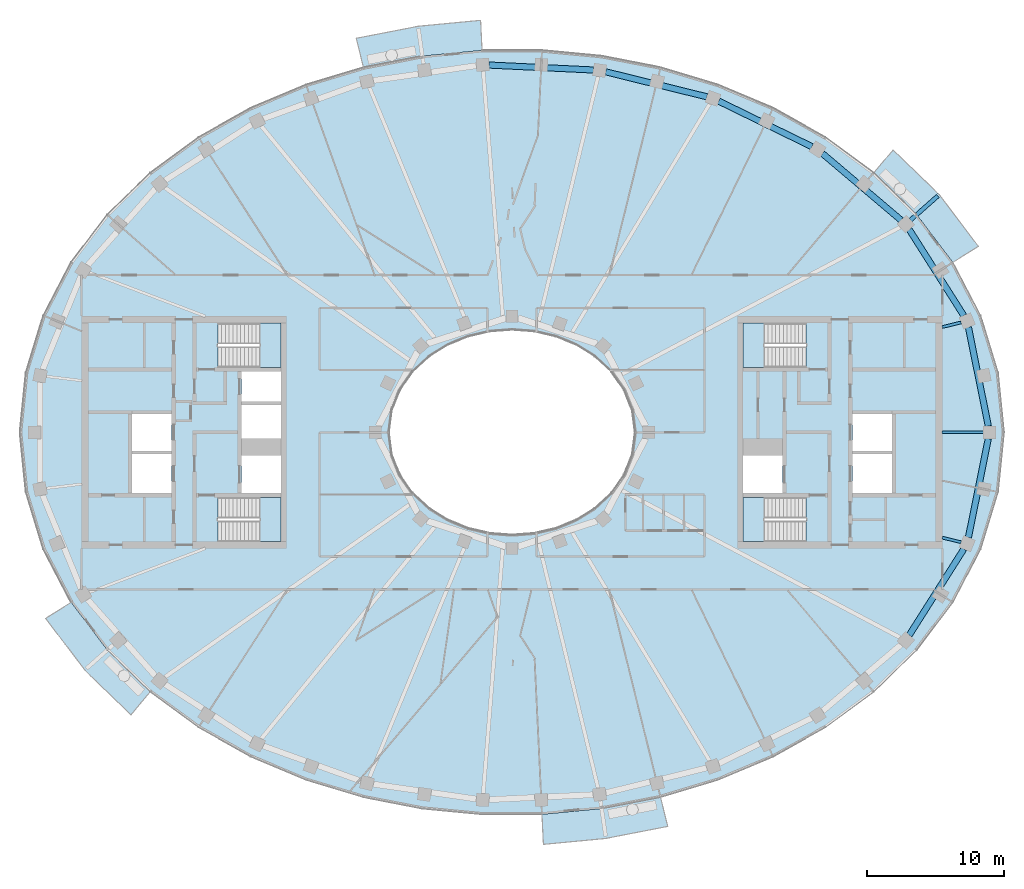
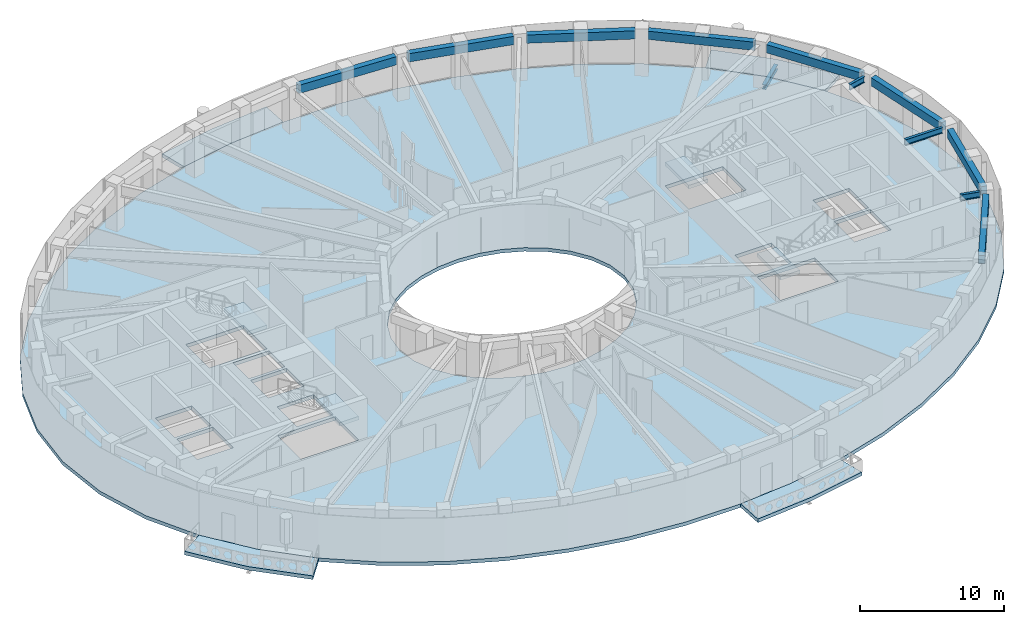
# One storey, part 2 of 16: 12 beams, 9 slabs, 4 elements without a shape of their own.
"""IFC4 building model written with IfcOpenShell, lengths in metres."""

from ifc_helpers import new_model, si_unit, direction, frame, origin, origin_2d, place, context, subcontext, project, spatial, polyline, rectangle, i_section, outline, extrude, material, layer, layer_set, material_profile, profile_set, type_object, element, aggregate, save


model = new_model("IFC4")

# Units and contexts
model_context = context("Model", 3, precision=1e-05, world=origin(), true_north=direction((0.0, 1.0)))
body_context = subcontext(model_context, "Body", "Model", "MODEL_VIEW")
ifc_project = project(units=[si_unit("LENGTHUNIT", "METRE"), si_unit("AREAUNIT", "SQUARE_METRE"), si_unit("VOLUMEUNIT", "CUBIC_METRE"), si_unit("PLANEANGLEUNIT", "RADIAN"), si_unit("MASSUNIT", "GRAM", prefix="KILO")], contexts=[model_context])

# Site, building, storey
site_placement = place(None, origin())
site = spatial("IfcSite", under=ifc_project, at=site_placement, CompositionType="ELEMENT")
building_placement = place(site_placement, origin())
building = spatial("IfcBuilding", under=site, at=building_placement, Name="Noorbagh Ring Tower", CompositionType="ELEMENT")
storey_placement = place(building_placement, frame((0.0, 0.0, 311.0)))
storey = spatial("IfcBuildingStorey", under=building, at=storey_placement, Name="L67", CompositionType="ELEMENT", Elevation=311.0)

# Beams
ifc_material_1 = material(Name="Steel S355", Category="steel")
ifc_material_profile_1 = material_profile(ifc_material_1, i_section(OverallWidth=0.300048828125, OverallDepth=0.39990234375, WebThickness=0.013427734375, FlangeThickness=0.02392578125, FilletRadius=0.027099609375, at=origin_2d()), Name="HEB400")
ifc_profile_set_1 = profile_set([ifc_material_profile_1], Name="Steel S355")
beam_type_1 = type_object("IfcBeamType", Name="STR-BALCONY-BRACKET-HEB400", PredefinedType="BEAM", material=ifc_profile_set_1)
beam_1_placement = place(storey_placement, frame((29.15966796875, 15.531982421875, -0.5), z_axis=(0.749056248736, 0.662506404671, 0.0), x_axis=(-0.662506404671, 0.749056248736, 0.0)))
element("IfcBeam", 1, at=beam_1_placement, inside=storey, type_object=beam_type_1, Name="Balcony bracket beam BN01", PredefinedType="BEAM", context=body_context, shape_type="SweptSolid", body=[
    extrude(i_section(OverallWidth=0.300048828125, OverallDepth=0.39990234375, WebThickness=0.013427734375, FlangeThickness=0.02392578125, FilletRadius=0.027099609375, at=origin_2d()), origin(), (0.0, 0.0, 1.0), 2.654296875),
])
ifc_material_2 = material(Name="Steel S355", Category="steel")
ifc_material_profile_2 = material_profile(ifc_material_2, i_section(OverallWidth=0.199951171875, OverallDepth=0.5, WebThickness=0.01025390625, FlangeThickness=0.01611328125, FilletRadius=0.02099609375, at=origin_2d()), Name="IPE500")
ifc_profile_set_2 = profile_set([ifc_material_profile_2], Name="Steel S355")
beam_type_2 = type_object("IfcBeamType", Name="STR-RAD-IPE500", PredefinedType="BEAM", material=ifc_profile_set_2)
beam_2_placement = place(storey_placement, frame((34.48974609375, 0.0, 3.449951171875), z_axis=(-1.0, 0.0, 0.0), x_axis=(0.0, -1.0, 0.0)))
element("IfcBeam", 2, at=beam_2_placement, inside=storey, type_object=beam_type_2, Name="L67/bm/RD01", PredefinedType="BEAM", context=body_context, shape_type="SweptSolid", body=[
    extrude(i_section(OverallWidth=0.199951171875, OverallDepth=0.5, WebThickness=0.01025390625, FlangeThickness=0.01611328125, FilletRadius=0.02099609375, at=origin_2d()), origin(), (0.0, 0.0, 1.0), 3.009765625),
])
for number, where, z_axis, x_axis, name in (
    (3, (32.858154296875, 8.0400390625, 3.449951171875), (-0.971335445274, -0.237712962949, 0.0), (0.237712962949, -0.971335445274, 0.0), "L67/bm/RD03"),
    (4, (32.858154296875, -8.0400390625, 3.449951171875), (-0.971335445274, 0.237712962949, 0.0), (-0.237712962949, -0.971335445274, 0.0), "L67/bm/RD45"),
):
    element("IfcBeam", number, at=place(storey_placement, frame(where, z_axis=z_axis, x_axis=x_axis)), inside=storey, type_object=beam_type_2, Name=name, PredefinedType="BEAM", context=body_context, shape_type="SweptSolid", body=[
        extrude(i_section(OverallWidth=0.199951171875, OverallDepth=0.5, WebThickness=0.01025390625, FlangeThickness=0.01611328125, FilletRadius=0.02099609375, at=origin_2d()), origin(), (0.0, 0.0, 1.0), 1.41845703125),
    ])
ifc_material_3 = material(Name="Concrete C40/50", Category="concrete")
ifc_material_profile_3 = material_profile(ifc_material_3, rectangle(XDim=0.449951171875, YDim=0.699951171875, at=origin_2d()), Name="RC450x700")
ifc_profile_set_3 = profile_set([ifc_material_profile_3], Name="Concrete C40/50")
beam_type_3 = type_object("IfcBeamType", Name="STR-SB-RC450x700-C40-50", PredefinedType="BEAM", material=ifc_profile_set_3)
beam_3_placement = place(storey_placement, frame((34.85302734375, 0.455322265625, 3.35009765625), z_axis=(-0.197209573264, 0.980361353896, 0.0), x_axis=(-0.980361353896, -0.197209573264, 0.0)))
element("IfcBeam", 5, at=beam_3_placement, inside=storey, type_object=beam_type_3, Name="L67/bm/SP01", PredefinedType="BEAM", context=body_context, shape_type="SweptSolid", body=[
    extrude(rectangle(XDim=0.449951171875, YDim=0.699951171875, at=origin_2d()), origin(), (0.0, 0.0, 1.0), 7.384521484375),
])
beam_4_placement = place(storey_placement, frame((33.0576171875, 8.5400390625, 3.35009765625), z_axis=(-0.535175885378, 0.84474065352, 0.0), x_axis=(-0.84474065352, -0.535175885378, 0.0)))
element("IfcBeam", 6, at=beam_4_placement, inside=storey, type_object=beam_type_3, Name="L67/bm/SP03", PredefinedType="BEAM", context=body_context, shape_type="SweptSolid", body=[
    extrude(rectangle(XDim=0.449951171875, YDim=0.699951171875, at=origin_2d()), origin(), (0.0, 0.0, 1.0), 7.459228515625),
])
beam_5_placement = place(storey_placement, frame((28.4677734375, 15.52783203125, 3.35009765625), z_axis=(-0.763022759798, 0.646371617594, 0.0), x_axis=(-0.646371617594, -0.763022759798, 0.0)))
element("IfcBeam", 7, at=beam_5_placement, inside=storey, type_object=beam_type_3, Name="L67/bm/SP05", PredefinedType="BEAM", context=body_context, shape_type="SweptSolid", body=[
    extrude(rectangle(XDim=0.449951171875, YDim=0.699951171875, at=origin_2d()), origin(), (0.0, 0.0, 1.0), 7.54296875),
])
beam_6_placement = place(storey_placement, frame((21.9501953125, 20.9013671875, 3.35009765625), z_axis=(-0.898405762579, 0.43916635318, 0.0), x_axis=(-0.43916635318, -0.898405762579, 0.0)))
element("IfcBeam", 8, at=beam_6_placement, inside=storey, type_object=beam_type_3, Name="L67/bm/SP07", PredefinedType="BEAM", context=body_context, shape_type="SweptSolid", body=[
    extrude(rectangle(XDim=0.449951171875, YDim=0.699951171875, at=origin_2d()), origin(), (0.0, 0.0, 1.0), 7.6015625),
])
beam_7_placement = place(storey_placement, frame((14.265380859375, 24.550537109375, 3.35009765625), z_axis=(-0.970830763324, 0.239765779427, 0.0), x_axis=(-0.239765779427, -0.970830763324, 0.0)))
element("IfcBeam", 9, at=beam_7_placement, inside=storey, type_object=beam_type_3, Name="L67/bm/SP09", PredefinedType="BEAM", context=body_context, shape_type="SweptSolid", body=[
    extrude(rectangle(XDim=0.449951171875, YDim=0.699951171875, at=origin_2d()), origin(), (0.0, 0.0, 1.0), 7.634765625),
])
beam_8_placement = place(storey_placement, frame((5.95263671875, 26.5126953125, 3.35009765625), z_axis=(-0.998869653919, 0.047533298648, 0.0), x_axis=(-0.047533298648, -0.998869653919, 0.0)))
element("IfcBeam", 10, at=beam_8_placement, inside=storey, type_object=beam_type_3, Name="L67/bm/SP11", PredefinedType="BEAM", context=body_context, shape_type="SweptSolid", body=[
    extrude(rectangle(XDim=0.449951171875, YDim=0.699951171875, at=origin_2d()), origin(), (0.0, 0.0, 1.0), 7.647705078125),
])
beam_9_placement = place(storey_placement, frame((29.065673828125, -14.841064453125, 3.35009765625), z_axis=(0.535175885378, 0.84474065352, 0.0), x_axis=(-0.84474065352, 0.535175885378, 0.0)))
element("IfcBeam", 11, at=beam_9_placement, inside=storey, type_object=beam_type_3, Name="L67/bm/SP43", PredefinedType="BEAM", context=body_context, shape_type="SweptSolid", body=[
    extrude(rectangle(XDim=0.449951171875, YDim=0.699951171875, at=origin_2d()), origin(), (0.0, 0.0, 1.0), 7.459228515625),
])
beam_10_placement = place(storey_placement, frame((33.396728515625, -7.69482421875, 3.35009765625), z_axis=(0.197209573264, 0.980361353896, 0.0), x_axis=(-0.980361353896, 0.197209573264, 0.0)))
element("IfcBeam", 12, at=beam_10_placement, inside=storey, type_object=beam_type_3, Name="L67/bm/SP45", PredefinedType="BEAM", context=body_context, shape_type="SweptSolid", body=[
    extrude(rectangle(XDim=0.449951171875, YDim=0.699951171875, at=origin_2d()), origin(), (0.0, 0.0, 1.0), 7.384521484375),
])

# Stair, slab
ifc_material_4 = material(Name="Concrete C40/50", Category="concrete")
stair_type = type_object("IfcStairType", Name="CORE-STAIR", PredefinedType="HALF_TURN_STAIR", material=ifc_material_4)
stair_1_placement = place(storey_placement, origin())
stair_1 = element("IfcStair", 13, at=stair_1_placement, inside=storey, type_object=stair_type, Name="L67 Exit stair ST1", PredefinedType="HALF_TURN_STAIR")
ifc_material_5 = material(Name="Concrete C40/50", Category="concrete")
ifc_layer_1 = layer(ifc_material_5, 0.300048828125)
ifc_layer_set_1 = layer_set([ifc_layer_1], Name="Concrete C40/50")
slab_type_1 = type_object("IfcSlabType", Name="CORE-STAIR-LANDING", PredefinedType="LANDING", material=ifc_layer_set_1)
slab_1_placement = place(storey_placement, frame((0.0, 0.0, 1.699951171875)))
slab_1 = element("IfcSlab", 14, at=slab_1_placement, type_object=slab_type_1, Name="ST1 landing 1", PredefinedType="LANDING", context=body_context, shape_type="SweptSolid", body=[
    extrude(outline(polyline([(-18.449951171875, 4.75), (-16.89990234375, 4.75), (-16.89990234375, 8.0), (-18.449951171875, 8.0), (-18.449951171875, 4.75)])), origin(), (0.0, 0.0, 1.0), 0.300048828125),
])
aggregate(stair_1, [slab_1])

stair_2_placement = place(storey_placement, origin())
stair_2 = element("IfcStair", 15, at=stair_2_placement, inside=storey, type_object=stair_type, Name="L67 Exit stair ST2", PredefinedType="HALF_TURN_STAIR")
slab_2_placement = place(storey_placement, frame((0.0, 0.0, 1.699951171875)))
slab_2 = element("IfcSlab", 16, at=slab_2_placement, type_object=slab_type_1, Name="ST2 landing 1", PredefinedType="LANDING", context=body_context, shape_type="SweptSolid", body=[
    extrude(outline(polyline([(-18.449951171875, -8.0), (-16.89990234375, -8.0), (-16.89990234375, -4.75), (-18.449951171875, -4.75), (-18.449951171875, -8.0)])), origin(), (0.0, 0.0, 1.0), 0.300048828125),
])
aggregate(stair_2, [slab_2])

stair_3_placement = place(storey_placement, origin())
stair_3 = element("IfcStair", 17, at=stair_3_placement, inside=storey, type_object=stair_type, Name="L67 Exit stair ST3", PredefinedType="HALF_TURN_STAIR")
slab_3_placement = place(storey_placement, frame((0.0, 0.0, 1.699951171875)))
slab_3 = element("IfcSlab", 18, at=slab_3_placement, type_object=slab_type_1, Name="ST3 landing 1", PredefinedType="LANDING", context=body_context, shape_type="SweptSolid", body=[
    extrude(outline(polyline([(18.449951171875, 8.0), (16.89990234375, 8.0), (16.89990234375, 4.75), (18.449951171875, 4.75), (18.449951171875, 8.0)])), origin(), (0.0, 0.0, 1.0), 0.300048828125),
])
aggregate(stair_3, [slab_3])

stair_4_placement = place(storey_placement, origin())
stair_4 = element("IfcStair", 19, at=stair_4_placement, inside=storey, type_object=stair_type, Name="L67 Exit stair ST4", PredefinedType="HALF_TURN_STAIR")
slab_4_placement = place(storey_placement, frame((0.0, 0.0, 1.699951171875)))
slab_4 = element("IfcSlab", 20, at=slab_4_placement, type_object=slab_type_1, Name="ST4 landing 1", PredefinedType="LANDING", context=body_context, shape_type="SweptSolid", body=[
    extrude(outline(polyline([(18.449951171875, -4.75), (16.89990234375, -4.75), (16.89990234375, -8.0), (18.449951171875, -8.0), (18.449951171875, -4.75)])), origin(), (0.0, 0.0, 1.0), 0.300048828125),
])
aggregate(stair_4, [slab_4])

# Slabs
ifc_material_6 = material(Name="Concrete C40/50", Category="concrete")
ifc_layer_2 = layer(ifc_material_6, 0.300048828125)
ifc_layer_set_2 = layer_set([ifc_layer_2], Name="Concrete C40/50")
slab_type_2 = type_object("IfcSlabType", Name="ENV-BALCONY DECK 300", PredefinedType="FLOOR", material=ifc_layer_set_2)
slab_5_placement = place(storey_placement, frame((0.0, 0.0, -0.300048828125)))
element("IfcSlab", 21, at=slab_5_placement, inside=storey, type_object=slab_type_2, Name="Tree balcony deck BN01", PredefinedType="FLOOR", context=body_context, shape_type="SweptSolid", body=[
    extrude(outline(polyline([(34.120361328125, 13.615966796875), (31.26025390625, 17.389892578125), (27.888671875, 20.665771484375), (26.463134765625, 18.983154296875), (29.607666015625, 15.92822265625), (32.255126953125, 12.434814453125), (34.120361328125, 13.615966796875)])), origin(), (0.0, 0.0, 1.0), 0.300048828125),
])
slab_6_placement = place(storey_placement, frame((0.0, 0.0, -0.300048828125)))
element("IfcSlab", 22, at=slab_6_placement, inside=storey, type_object=slab_type_2, Name="Tree balcony deck BN04", PredefinedType="FLOOR", context=body_context, shape_type="SweptSolid", body=[
    extrude(outline(polyline([(-2.2978515625, 30.14794921875), (-6.874755859375, 29.711181640625), (-11.3935546875, 28.832763671875), (-10.865234375, 26.6943359375), (-6.5595703125, 27.53125), (-2.193115234375, 27.947998046875), (-2.2978515625, 30.14794921875)])), origin(), (0.0, 0.0, 1.0), 0.300048828125),
])
slab_7_placement = place(storey_placement, frame((0.0, 0.0, -0.300048828125)))
element("IfcSlab", 23, at=slab_7_placement, inside=storey, type_object=slab_type_2, Name="Tree balcony deck BS01", PredefinedType="FLOOR", context=body_context, shape_type="SweptSolid", body=[
    extrude(outline(polyline([(-34.120361328125, -13.615966796875), (-31.26025390625, -17.389892578125), (-27.888671875, -20.665771484375), (-26.463134765625, -18.983154296875), (-29.607666015625, -15.92822265625), (-32.255126953125, -12.434814453125), (-34.120361328125, -13.615966796875)])), origin(), (0.0, 0.0, 1.0), 0.300048828125),
])
slab_8_placement = place(storey_placement, frame((0.0, 0.0, -0.300048828125)))
element("IfcSlab", 24, at=slab_8_placement, inside=storey, type_object=slab_type_2, Name="Tree balcony deck BS04", PredefinedType="FLOOR", context=body_context, shape_type="SweptSolid", body=[
    extrude(outline(polyline([(2.2978515625, -30.14794921875), (6.874755859375, -29.711181640625), (11.3935546875, -28.832763671875), (10.865234375, -26.6943359375), (6.5595703125, -27.53125), (2.193115234375, -27.947998046875), (2.2978515625, -30.14794921875)])), origin(), (0.0, 0.0, 1.0), 0.300048828125),
])
ifc_material_7 = material(Name="Concrete C40/50", Category="concrete")
ifc_layer_3 = layer(ifc_material_7, 0.300048828125)
ifc_layer_set_3 = layer_set([ifc_layer_3], Name="Concrete C40/50")
slab_type_3 = type_object("IfcSlabType", Name="STR-FLOOR-DECK-300", PredefinedType="FLOOR", material=ifc_layer_set_3)
slab_9_placement = place(storey_placement, frame((0.0, 0.0, -0.300048828125)))
element("IfcSlab", 25, at=slab_9_placement, inside=storey, type_object=slab_type_3, Name="L67/slab/1", PredefinedType="FLOOR", context=body_context, shape_type="SweptSolid", body=[
    extrude(outline(polyline([(36.0, 0.0), (35.56103515625, 4.358642578125), (34.281005859375, 8.548828125), (32.255126953125, 12.434814453125), (29.607666015625, 15.92822265625), (26.463134765625, 18.983154296875), (22.9326171875, 21.583740234375), (19.108154296875, 23.730224609375), (15.0654296875, 25.430419921875), (10.865234375, 26.6943359375), (6.5595703125, 27.53125), (2.193115234375, 27.947998046875), (-2.193115234375, 27.947998046875), (-6.5595703125, 27.53125), (-10.865234375, 26.6943359375), (-15.0654296875, 25.430419921875), (-19.108154296875, 23.730224609375), (-22.9326171875, 21.583740234375), (-26.463134765625, 18.983154296875), (-29.607666015625, 15.92822265625), (-32.255126953125, 12.434814453125), (-34.281005859375, 8.548828125), (-35.56103515625, 4.358642578125), (-36.0, 0.0), (-35.56103515625, -4.358642578125), (-34.281005859375, -8.548828125), (-32.255126953125, -12.434814453125), (-29.607666015625, -15.92822265625), (-26.463134765625, -18.983154296875), (-22.9326171875, -21.583740234375), (-19.108154296875, -23.730224609375), (-15.0654296875, -25.430419921875), (-10.865234375, -26.6943359375), (-6.5595703125, -27.53125), (-2.193115234375, -27.947998046875), (2.193115234375, -27.947998046875), (6.5595703125, -27.53125), (10.865234375, -26.6943359375), (15.0654296875, -25.430419921875), (19.108154296875, -23.730224609375), (22.9326171875, -21.583740234375), (26.463134765625, -18.983154296875), (29.607666015625, -15.92822265625), (32.255126953125, -12.434814453125), (34.281005859375, -8.548828125), (35.56103515625, -4.358642578125), (36.0, 0.0)]), holes=[polyline([(24.89990234375, -1.60009765625), (27.800048828125, -1.60009765625), (27.800048828125, -4.449951171875), (24.89990234375, -4.449951171875), (24.89990234375, -1.60009765625)]), polyline([(24.89990234375, 1.35009765625), (27.800048828125, 1.35009765625), (27.800048828125, -1.35009765625), (24.89990234375, -1.35009765625), (24.89990234375, 1.35009765625)]), polyline([(21.529541015625, -8.0), (16.89990234375, -8.0), (16.89990234375, -4.75), (21.529541015625, -4.75), (21.529541015625, -8.0)]), polyline([(21.529541015625, 4.75), (16.89990234375, 4.75), (16.89990234375, 8.0), (21.529541015625, 8.0), (21.529541015625, 4.75)]), polyline([(16.89990234375, -1.699951171875), (19.800048828125, -1.699951171875), (19.800048828125, -4.449951171875), (16.89990234375, -4.449951171875), (16.89990234375, -1.699951171875)]), polyline([(4.697509765625, -6.3974609375), (3.196533203125, -7.010986328125), (1.6171875, -7.3779296875), (0.0, -7.5), (-1.6171875, -7.3779296875), (-3.196533203125, -7.010986328125), (-4.697509765625, -6.3974609375), (-6.071044921875, -5.53662109375), (-7.2587890625, -4.43408203125), (-8.1904296875, -3.10888671875), (-8.79150390625, -1.605224609375), (-9.0, 0.0), (-8.79150390625, 1.605224609375), (-8.1904296875, 3.10888671875), (-7.2587890625, 4.43408203125), (-6.071044921875, 5.53662109375), (-4.697509765625, 6.3974609375), (-3.196533203125, 7.010986328125), (-1.6171875, 7.3779296875), (0.0, 7.5), (1.6171875, 7.3779296875), (3.196533203125, 7.010986328125), (4.697509765625, 6.3974609375), (6.071044921875, 5.53662109375), (7.2587890625, 4.43408203125), (8.1904296875, 3.10888671875), (8.79150390625, 1.605224609375), (9.0, 0.0), (8.79150390625, -1.605224609375), (8.1904296875, -3.10888671875), (7.2587890625, -4.43408203125), (6.071044921875, -5.53662109375), (4.697509765625, -6.3974609375)]), polyline([(-21.529541015625, -8.0), (-21.529541015625, -4.75), (-16.89990234375, -4.75), (-16.89990234375, -8.0), (-21.529541015625, -8.0)]), polyline([(-21.529541015625, 4.75), (-21.529541015625, 8.0), (-16.89990234375, 8.0), (-16.89990234375, 4.75), (-21.529541015625, 4.75)]), polyline([(-16.89990234375, -4.449951171875), (-19.800048828125, -4.449951171875), (-19.800048828125, -1.699951171875), (-16.89990234375, -1.699951171875), (-16.89990234375, -4.449951171875)]), polyline([(-16.89990234375, -0.449951171875), (-19.800048828125, -0.449951171875), (-19.800048828125, 2.0), (-16.89990234375, 2.0), (-16.89990234375, -0.449951171875)]), polyline([(-16.89990234375, 2.25), (-19.800048828125, 2.25), (-19.800048828125, 4.449951171875), (-16.89990234375, 4.449951171875), (-16.89990234375, 2.25)]), polyline([(-24.89990234375, -4.449951171875), (-27.800048828125, -4.449951171875), (-27.800048828125, -1.60009765625), (-24.89990234375, -1.60009765625), (-24.89990234375, -4.449951171875)]), polyline([(-24.89990234375, 1.35009765625), (-24.89990234375, -1.35009765625), (-27.800048828125, -1.35009765625), (-27.800048828125, 1.35009765625), (-24.89990234375, 1.35009765625)])]), origin(), (0.0, 0.0, 1.0), 0.300048828125),
])

save(model, "model.ifc")
